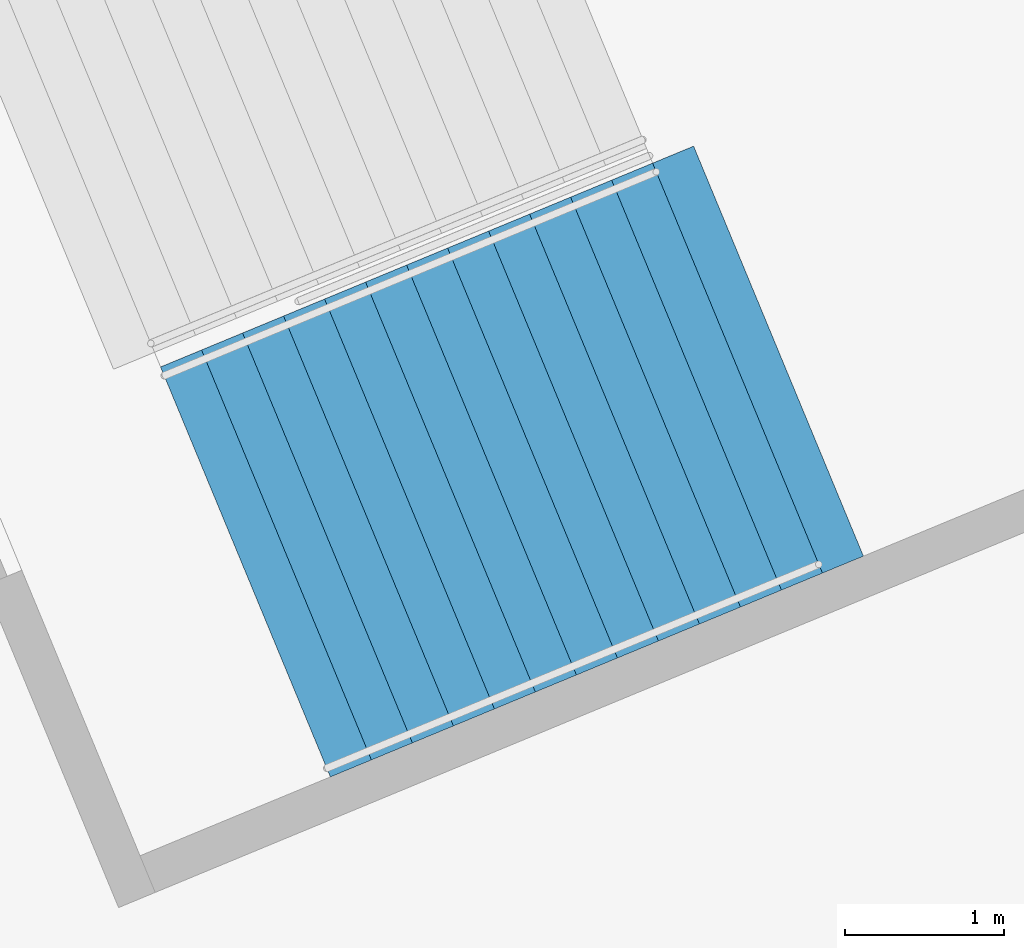
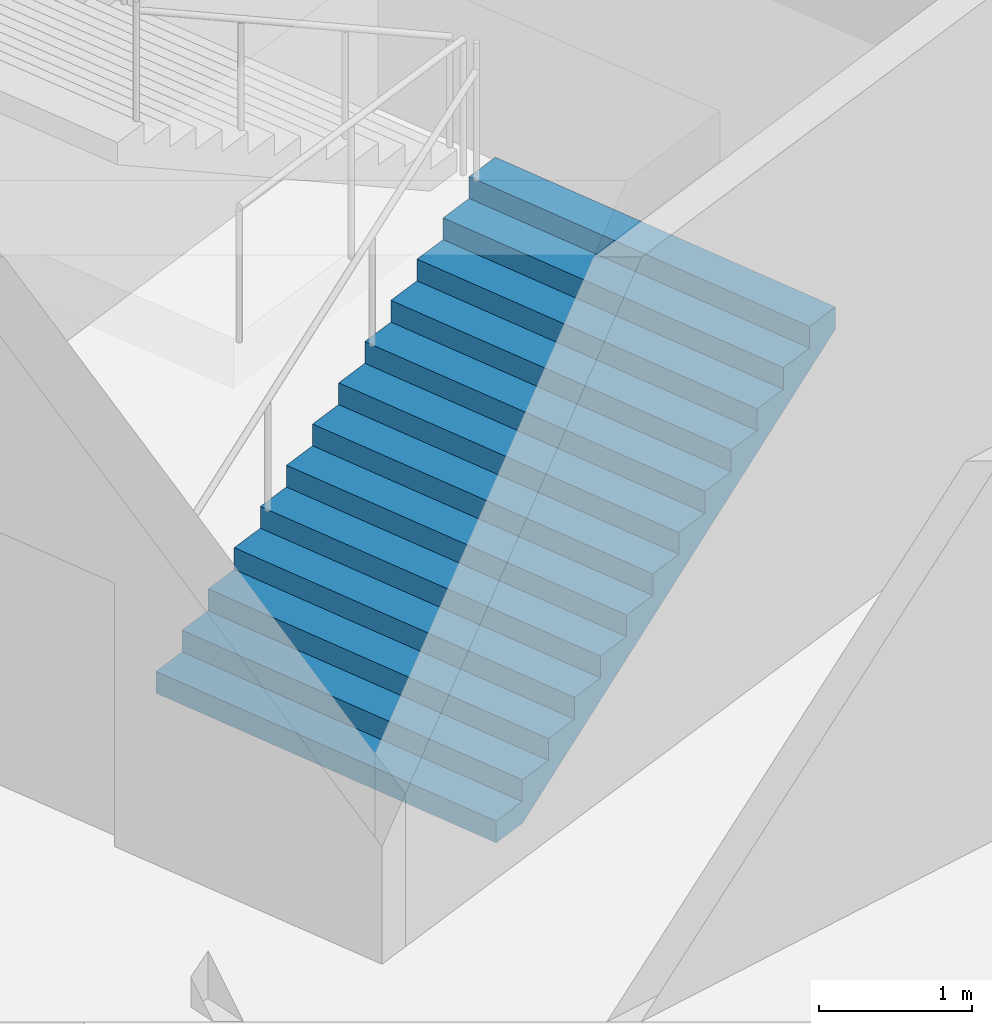
# One storey, part 149 of 175: 1 stair flight, 1 element without a shape of its own.
"""IFC4 building model written with IfcOpenShell, lengths in metres."""

from ifc_helpers import new_model, si_unit, direction, frame, origin, place, context, subcontext, project, spatial, faceted_brep, material, type_object, element, aggregate, save


model = new_model("IFC4")

# Units and contexts
model_context = context("Model", 3, precision=1e-05, world=origin(), true_north=direction((0.0, 1.0)))
body_context = subcontext(model_context, "Body", "Model", "MODEL_VIEW")
ifc_project = project(units=[si_unit("LENGTHUNIT", "METRE"), si_unit("AREAUNIT", "SQUARE_METRE"), si_unit("VOLUMEUNIT", "CUBIC_METRE"), si_unit("PLANEANGLEUNIT", "RADIAN"), si_unit("MASSUNIT", "GRAM", prefix="KILO")], contexts=[model_context])

# Site, building, storey
site_placement = place(None, origin())
site = spatial("IfcSite", under=ifc_project, at=site_placement, CompositionType="ELEMENT")
building_placement = place(site_placement, origin())
building = spatial("IfcBuilding", under=site, at=building_placement, Name="Ogive Plaza Stadium", CompositionType="ELEMENT")
storey_placement = place(building_placement, origin())
storey = spatial("IfcBuildingStorey", under=building, at=storey_placement, Name="L00", CompositionType="ELEMENT", Elevation=0.0)

# Stair, stair flight
ifc_material_1 = material(Name="Concrete C40/50", Category="concrete")
stair_type = type_object("IfcStairType", Name="Exit stair", PredefinedType="STRAIGHT_RUN_STAIR", material=ifc_material_1)
stair_placement = place(storey_placement, origin())
stair = element("IfcStair", 1, at=stair_placement, inside=storey, type_object=stair_type, Name="Exit stair ST40A L00 to L01", PredefinedType="STRAIGHT_RUN_STAIR")
ifc_material_2 = material(Name="Concrete C40/50", Category="concrete")
stair_flight_type = type_object("IfcStairFlightType", Name="Exit stair flight", PredefinedType="STRAIGHT", material=ifc_material_2)
stair_flight_placement = place(storey_placement, frame((74.819580078125, 64.618408203125, 0.0), z_axis=(0.0, 0.0, 1.0), x_axis=(0.923879532511, 0.382683432365, 0.0)))
stair_flight = element("IfcStairFlight", 2, at=stair_flight_placement, type_object=stair_flight_type, Name="ST40A flight 1", NumberOfRisers=13, NumberOfTreads=12, PredefinedType="STRAIGHT", RiserHeight=0.173076923, TreadLength=0.28, context=body_context, shape_type="Brep", body=[
    faceted_brep([(0.28515625, -1.39990234375, 0.0), (3.639892578125, -1.39990234375, 2.07373046875), (3.639892578125, -1.39990234375, 2.25), (3.360107421875, -1.39990234375, 2.25), (3.360107421875, -1.39990234375, 2.076904296875), (3.080078125, -1.39990234375, 2.076904296875), (3.080078125, -1.39990234375, 1.90380859375), (2.800048828125, -1.39990234375, 1.90380859375), (2.800048828125, -1.39990234375, 1.730712890625), (2.52001953125, -1.39990234375, 1.730712890625), (2.52001953125, -1.39990234375, 1.5576171875), (2.239990234375, -1.39990234375, 1.5576171875), (2.239990234375, -1.39990234375, 1.384521484375), (1.9599609375, -1.39990234375, 1.384521484375), (1.9599609375, -1.39990234375, 1.21142578125), (1.679931640625, -1.39990234375, 1.21142578125), (1.679931640625, -1.39990234375, 1.03857421875), (1.39990234375, -1.39990234375, 1.03857421875), (1.39990234375, -1.39990234375, 0.865478515625), (1.1201171875, -1.39990234375, 0.865478515625), (1.1201171875, -1.39990234375, 0.6923828125), (0.840087890625, -1.39990234375, 0.6923828125), (0.840087890625, -1.39990234375, 0.519287109375), (0.56005859375, -1.39990234375, 0.519287109375), (0.56005859375, -1.39990234375, 0.34619140625), (0.280029296875, -1.39990234375, 0.34619140625), (0.280029296875, -1.39990234375, 0.173095703125), (0.0, -1.39990234375, 0.173095703125), (0.0, -1.39990234375, 0.0), (0.0, 1.39990234375, 0.0), (0.0, 1.39990234375, 0.173095703125), (0.280029296875, 1.39990234375, 0.173095703125), (0.280029296875, 1.39990234375, 0.34619140625), (0.56005859375, 1.39990234375, 0.34619140625), (0.56005859375, 1.39990234375, 0.519287109375), (0.840087890625, 1.39990234375, 0.519287109375), (0.840087890625, 1.39990234375, 0.6923828125), (1.1201171875, 1.39990234375, 0.6923828125), (1.1201171875, 1.39990234375, 0.865478515625), (1.39990234375, 1.39990234375, 0.865478515625), (1.39990234375, 1.39990234375, 1.03857421875), (1.679931640625, 1.39990234375, 1.03857421875), (1.679931640625, 1.39990234375, 1.21142578125), (1.9599609375, 1.39990234375, 1.21142578125), (1.9599609375, 1.39990234375, 1.384521484375), (2.239990234375, 1.39990234375, 1.384521484375), (2.239990234375, 1.39990234375, 1.5576171875), (2.52001953125, 1.39990234375, 1.5576171875), (2.52001953125, 1.39990234375, 1.730712890625), (2.800048828125, 1.39990234375, 1.730712890625), (2.800048828125, 1.39990234375, 1.90380859375), (3.080078125, 1.39990234375, 1.90380859375), (3.080078125, 1.39990234375, 2.076904296875), (3.360107421875, 1.39990234375, 2.076904296875), (3.360107421875, 1.39990234375, 2.25), (3.639892578125, 1.39990234375, 2.25), (3.639892578125, 1.39990234375, 2.07373046875), (0.28515625, 1.39990234375, 0.0), (0.28515625, -1.0888671875, 0.0), (3.639892578125, -1.0888671875, 2.07373046875), (0.28515625, -0.77783203125, 0.0), (3.639892578125, -0.77783203125, 2.07373046875), (0.28515625, -0.466796875, 0.0), (3.639892578125, -0.466796875, 2.07373046875), (0.28515625, -0.155517578125, 0.0), (3.639892578125, -0.155517578125, 2.07373046875), (0.28515625, 0.155517578125, 0.0), (3.639892578125, 0.155517578125, 2.07373046875), (0.28515625, 0.466796875, 0.0), (3.639892578125, 0.466796875, 2.07373046875), (0.28515625, 0.77783203125, 0.0), (3.639892578125, 0.77783203125, 2.07373046875), (0.28515625, 1.0888671875, 0.0), (3.639892578125, 1.0888671875, 2.07373046875), (3.639892578125, -1.0888671875, 2.25), (3.639892578125, -0.77783203125, 2.25), (3.639892578125, -0.466796875, 2.25), (3.639892578125, -0.155517578125, 2.25), (3.639892578125, 0.155517578125, 2.25), (3.639892578125, 0.466796875, 2.25), (3.639892578125, 0.77783203125, 2.25), (3.639892578125, 1.0888671875, 2.25), (3.360107421875, -1.0888671875, 2.25), (3.360107421875, -0.77783203125, 2.25), (3.360107421875, -0.466796875, 2.25), (3.360107421875, -0.155517578125, 2.25), (3.360107421875, 0.155517578125, 2.25), (3.360107421875, 0.466796875, 2.25), (3.360107421875, 0.77783203125, 2.25), (3.360107421875, 1.0888671875, 2.25), (3.360107421875, -1.0888671875, 2.076904296875), (3.360107421875, -0.77783203125, 2.076904296875), (3.360107421875, -0.466796875, 2.076904296875), (3.360107421875, -0.155517578125, 2.076904296875), (3.360107421875, 0.155517578125, 2.076904296875), (3.360107421875, 0.466796875, 2.076904296875), (3.360107421875, 0.77783203125, 2.076904296875), (3.360107421875, 1.0888671875, 2.076904296875), (3.080078125, -1.0888671875, 2.076904296875), (3.080078125, -0.77783203125, 2.076904296875), (3.080078125, -0.466796875, 2.076904296875), (3.080078125, -0.155517578125, 2.076904296875), (3.080078125, 0.155517578125, 2.076904296875), (3.080078125, 0.466796875, 2.076904296875), (3.080078125, 0.77783203125, 2.076904296875), (3.080078125, 1.0888671875, 2.076904296875), (3.080078125, -1.0888671875, 1.90380859375), (3.080078125, -0.77783203125, 1.90380859375), (3.080078125, -0.466796875, 1.90380859375), (3.080078125, -0.155517578125, 1.90380859375), (3.080078125, 0.155517578125, 1.90380859375), (3.080078125, 0.466796875, 1.90380859375), (3.080078125, 0.77783203125, 1.90380859375), (3.080078125, 1.0888671875, 1.90380859375), (2.800048828125, -1.0888671875, 1.90380859375), (2.800048828125, -0.77783203125, 1.90380859375), (2.800048828125, -0.466796875, 1.90380859375), (2.800048828125, -0.155517578125, 1.90380859375), (2.800048828125, 0.155517578125, 1.90380859375), (2.800048828125, 0.466796875, 1.90380859375), (2.800048828125, 0.77783203125, 1.90380859375), (2.800048828125, 1.0888671875, 1.90380859375), (2.800048828125, -1.0888671875, 1.730712890625), (2.800048828125, -0.77783203125, 1.730712890625), (2.800048828125, -0.466796875, 1.730712890625), (2.800048828125, -0.155517578125, 1.730712890625), (2.800048828125, 0.155517578125, 1.730712890625), (2.800048828125, 0.466796875, 1.730712890625), (2.800048828125, 0.77783203125, 1.730712890625), (2.800048828125, 1.0888671875, 1.730712890625), (2.52001953125, -1.0888671875, 1.730712890625), (2.52001953125, -0.77783203125, 1.730712890625), (2.52001953125, -0.466796875, 1.730712890625), (2.52001953125, -0.155517578125, 1.730712890625), (2.52001953125, 0.155517578125, 1.730712890625), (2.52001953125, 0.466796875, 1.730712890625), (2.52001953125, 0.77783203125, 1.730712890625), (2.52001953125, 1.0888671875, 1.730712890625), (2.52001953125, -1.0888671875, 1.5576171875), (2.52001953125, -0.77783203125, 1.5576171875), (2.52001953125, -0.466796875, 1.5576171875), (2.52001953125, -0.155517578125, 1.5576171875), (2.52001953125, 0.155517578125, 1.5576171875), (2.52001953125, 0.466796875, 1.5576171875), (2.52001953125, 0.77783203125, 1.5576171875), (2.52001953125, 1.0888671875, 1.5576171875), (2.239990234375, -1.0888671875, 1.5576171875), (2.239990234375, -0.77783203125, 1.5576171875), (2.239990234375, -0.466796875, 1.5576171875), (2.239990234375, -0.155517578125, 1.5576171875), (2.239990234375, 0.155517578125, 1.5576171875), (2.239990234375, 0.466796875, 1.5576171875), (2.239990234375, 0.77783203125, 1.5576171875), (2.239990234375, 1.0888671875, 1.5576171875), (2.239990234375, -1.0888671875, 1.384521484375), (2.239990234375, -0.77783203125, 1.384521484375), (2.239990234375, -0.466796875, 1.384521484375), (2.239990234375, -0.155517578125, 1.384521484375), (2.239990234375, 0.155517578125, 1.384521484375), (2.239990234375, 0.466796875, 1.384521484375), (2.239990234375, 0.77783203125, 1.384521484375), (2.239990234375, 1.0888671875, 1.384521484375), (1.9599609375, -1.0888671875, 1.384521484375), (1.9599609375, -0.77783203125, 1.384521484375), (1.9599609375, -0.466796875, 1.384521484375), (1.9599609375, -0.155517578125, 1.384521484375), (1.9599609375, 0.155517578125, 1.384521484375), (1.9599609375, 0.466796875, 1.384521484375), (1.9599609375, 0.77783203125, 1.384521484375), (1.9599609375, 1.0888671875, 1.384521484375), (1.9599609375, -1.0888671875, 1.21142578125), (1.9599609375, -0.77783203125, 1.21142578125), (1.9599609375, -0.466796875, 1.21142578125), (1.9599609375, -0.155517578125, 1.21142578125), (1.9599609375, 0.155517578125, 1.21142578125), (1.9599609375, 0.466796875, 1.21142578125), (1.9599609375, 0.77783203125, 1.21142578125), (1.9599609375, 1.0888671875, 1.21142578125), (1.679931640625, -1.0888671875, 1.21142578125), (1.679931640625, -0.77783203125, 1.21142578125), (1.679931640625, -0.466796875, 1.21142578125), (1.679931640625, -0.155517578125, 1.21142578125), (1.679931640625, 0.155517578125, 1.21142578125), (1.679931640625, 0.466796875, 1.21142578125), (1.679931640625, 0.77783203125, 1.21142578125), (1.679931640625, 1.0888671875, 1.21142578125), (1.679931640625, -1.0888671875, 1.03857421875), (1.679931640625, -0.77783203125, 1.03857421875), (1.679931640625, -0.466796875, 1.03857421875), (1.679931640625, -0.155517578125, 1.03857421875), (1.679931640625, 0.155517578125, 1.03857421875), (1.679931640625, 0.466796875, 1.03857421875), (1.679931640625, 0.77783203125, 1.03857421875), (1.679931640625, 1.0888671875, 1.03857421875), (1.39990234375, -1.0888671875, 1.03857421875), (1.39990234375, -0.77783203125, 1.03857421875), (1.39990234375, -0.466796875, 1.03857421875), (1.39990234375, -0.155517578125, 1.03857421875), (1.39990234375, 0.155517578125, 1.03857421875), (1.39990234375, 0.466796875, 1.03857421875), (1.39990234375, 0.77783203125, 1.03857421875), (1.39990234375, 1.0888671875, 1.03857421875), (1.39990234375, -1.0888671875, 0.865478515625), (1.39990234375, -0.77783203125, 0.865478515625), (1.39990234375, -0.466796875, 0.865478515625), (1.39990234375, -0.155517578125, 0.865478515625), (1.39990234375, 0.155517578125, 0.865478515625), (1.39990234375, 0.466796875, 0.865478515625), (1.39990234375, 0.77783203125, 0.865478515625), (1.39990234375, 1.0888671875, 0.865478515625), (1.1201171875, -1.0888671875, 0.865478515625), (1.1201171875, -0.77783203125, 0.865478515625), (1.1201171875, -0.466796875, 0.865478515625), (1.1201171875, -0.155517578125, 0.865478515625), (1.1201171875, 0.155517578125, 0.865478515625), (1.1201171875, 0.466796875, 0.865478515625), (1.1201171875, 0.77783203125, 0.865478515625), (1.1201171875, 1.0888671875, 0.865478515625), (1.1201171875, -1.0888671875, 0.6923828125), (1.1201171875, -0.77783203125, 0.6923828125), (1.1201171875, -0.466796875, 0.6923828125), (1.1201171875, -0.155517578125, 0.6923828125), (1.1201171875, 0.155517578125, 0.6923828125), (1.1201171875, 0.466796875, 0.6923828125), (1.1201171875, 0.77783203125, 0.6923828125), (1.1201171875, 1.0888671875, 0.6923828125), (0.840087890625, -1.0888671875, 0.6923828125), (0.840087890625, -0.77783203125, 0.6923828125), (0.840087890625, -0.466796875, 0.6923828125), (0.840087890625, -0.155517578125, 0.6923828125), (0.840087890625, 0.155517578125, 0.6923828125), (0.840087890625, 0.466796875, 0.6923828125), (0.840087890625, 0.77783203125, 0.6923828125), (0.840087890625, 1.0888671875, 0.6923828125), (0.840087890625, -1.0888671875, 0.519287109375), (0.840087890625, -0.77783203125, 0.519287109375), (0.840087890625, -0.466796875, 0.519287109375), (0.840087890625, -0.155517578125, 0.519287109375), (0.840087890625, 0.155517578125, 0.519287109375), (0.840087890625, 0.466796875, 0.519287109375), (0.840087890625, 0.77783203125, 0.519287109375), (0.840087890625, 1.0888671875, 0.519287109375), (0.56005859375, -1.0888671875, 0.519287109375), (0.56005859375, -0.77783203125, 0.519287109375), (0.56005859375, -0.466796875, 0.519287109375), (0.56005859375, -0.155517578125, 0.519287109375), (0.56005859375, 0.155517578125, 0.519287109375), (0.56005859375, 0.466796875, 0.519287109375), (0.56005859375, 0.77783203125, 0.519287109375), (0.56005859375, 1.0888671875, 0.519287109375), (0.56005859375, -1.0888671875, 0.34619140625), (0.56005859375, -0.77783203125, 0.34619140625), (0.56005859375, -0.466796875, 0.34619140625), (0.56005859375, -0.155517578125, 0.34619140625), (0.56005859375, 0.155517578125, 0.34619140625), (0.56005859375, 0.466796875, 0.34619140625), (0.56005859375, 0.77783203125, 0.34619140625), (0.56005859375, 1.0888671875, 0.34619140625), (0.280029296875, -1.0888671875, 0.34619140625), (0.280029296875, -0.77783203125, 0.34619140625), (0.280029296875, -0.466796875, 0.34619140625), (0.280029296875, -0.155517578125, 0.34619140625), (0.280029296875, 0.155517578125, 0.34619140625), (0.280029296875, 0.466796875, 0.34619140625), (0.280029296875, 0.77783203125, 0.34619140625), (0.280029296875, 1.0888671875, 0.34619140625), (0.280029296875, -1.0888671875, 0.173095703125), (0.280029296875, -0.77783203125, 0.173095703125), (0.280029296875, -0.466796875, 0.173095703125), (0.280029296875, -0.155517578125, 0.173095703125), (0.280029296875, 0.155517578125, 0.173095703125), (0.280029296875, 0.466796875, 0.173095703125), (0.280029296875, 0.77783203125, 0.173095703125), (0.280029296875, 1.0888671875, 0.173095703125), (0.0, -1.0888671875, 0.173095703125), (0.0, -0.77783203125, 0.173095703125), (0.0, -0.466796875, 0.173095703125), (0.0, -0.155517578125, 0.173095703125), (0.0, 0.155517578125, 0.173095703125), (0.0, 0.466796875, 0.173095703125), (0.0, 0.77783203125, 0.173095703125), (0.0, 1.0888671875, 0.173095703125), (0.0, -1.0888671875, 0.0), (0.0, -0.77783203125, 0.0), (0.0, -0.466796875, 0.0), (0.0, -0.155517578125, 0.0), (0.0, 0.155517578125, 0.0), (0.0, 0.466796875, 0.0), (0.0, 0.77783203125, 0.0), (0.0, 1.0888671875, 0.0)], [[[0, 1, 2, 3, 4, 5, 6, 7, 8, 9, 10, 11, 12, 13, 14, 15, 16, 17, 18, 19, 20, 21, 22, 23, 24, 25, 26, 27, 28]], [[29, 30, 31, 32, 33, 34, 35, 36, 37, 38, 39, 40, 41, 42, 43, 44, 45, 46, 47, 48, 49, 50, 51, 52, 53, 54, 55, 56, 57]], [[0, 58, 59, 1]], [[58, 60, 61, 59]], [[60, 62, 63, 61]], [[62, 64, 65, 63]], [[64, 66, 67, 65]], [[66, 68, 69, 67]], [[68, 70, 71, 69]], [[70, 72, 73, 71]], [[72, 57, 56, 73]], [[1, 59, 74, 2]], [[59, 61, 75, 74]], [[61, 63, 76, 75]], [[63, 65, 77, 76]], [[65, 67, 78, 77]], [[67, 69, 79, 78]], [[69, 71, 80, 79]], [[71, 73, 81, 80]], [[73, 56, 55, 81]], [[2, 74, 82, 3]], [[74, 75, 83, 82]], [[75, 76, 84, 83]], [[76, 77, 85, 84]], [[77, 78, 86, 85]], [[78, 79, 87, 86]], [[79, 80, 88, 87]], [[80, 81, 89, 88]], [[81, 55, 54, 89]], [[3, 82, 90, 4]], [[82, 83, 91, 90]], [[83, 84, 92, 91]], [[84, 85, 93, 92]], [[85, 86, 94, 93]], [[86, 87, 95, 94]], [[87, 88, 96, 95]], [[88, 89, 97, 96]], [[89, 54, 53, 97]], [[4, 90, 98, 5]], [[90, 91, 99, 98]], [[91, 92, 100, 99]], [[92, 93, 101, 100]], [[93, 94, 102, 101]], [[94, 95, 103, 102]], [[95, 96, 104, 103]], [[96, 97, 105, 104]], [[97, 53, 52, 105]], [[5, 98, 106, 6]], [[98, 99, 107, 106]], [[99, 100, 108, 107]], [[100, 101, 109, 108]], [[101, 102, 110, 109]], [[102, 103, 111, 110]], [[103, 104, 112, 111]], [[104, 105, 113, 112]], [[105, 52, 51, 113]], [[6, 106, 114, 7]], [[106, 107, 115, 114]], [[107, 108, 116, 115]], [[108, 109, 117, 116]], [[109, 110, 118, 117]], [[110, 111, 119, 118]], [[111, 112, 120, 119]], [[112, 113, 121, 120]], [[113, 51, 50, 121]], [[7, 114, 122, 8]], [[114, 115, 123, 122]], [[115, 116, 124, 123]], [[116, 117, 125, 124]], [[117, 118, 126, 125]], [[118, 119, 127, 126]], [[119, 120, 128, 127]], [[120, 121, 129, 128]], [[121, 50, 49, 129]], [[8, 122, 130, 9]], [[122, 123, 131, 130]], [[123, 124, 132, 131]], [[124, 125, 133, 132]], [[125, 126, 134, 133]], [[126, 127, 135, 134]], [[127, 128, 136, 135]], [[128, 129, 137, 136]], [[129, 49, 48, 137]], [[9, 130, 138, 10]], [[130, 131, 139, 138]], [[131, 132, 140, 139]], [[132, 133, 141, 140]], [[133, 134, 142, 141]], [[134, 135, 143, 142]], [[135, 136, 144, 143]], [[136, 137, 145, 144]], [[137, 48, 47, 145]], [[10, 138, 146, 11]], [[138, 139, 147, 146]], [[139, 140, 148, 147]], [[140, 141, 149, 148]], [[141, 142, 150, 149]], [[142, 143, 151, 150]], [[143, 144, 152, 151]], [[144, 145, 153, 152]], [[145, 47, 46, 153]], [[11, 146, 154, 12]], [[146, 147, 155, 154]], [[147, 148, 156, 155]], [[148, 149, 157, 156]], [[149, 150, 158, 157]], [[150, 151, 159, 158]], [[151, 152, 160, 159]], [[152, 153, 161, 160]], [[153, 46, 45, 161]], [[12, 154, 162, 13]], [[154, 155, 163, 162]], [[155, 156, 164, 163]], [[156, 157, 165, 164]], [[157, 158, 166, 165]], [[158, 159, 167, 166]], [[159, 160, 168, 167]], [[160, 161, 169, 168]], [[161, 45, 44, 169]], [[13, 162, 170, 14]], [[162, 163, 171, 170]], [[163, 164, 172, 171]], [[164, 165, 173, 172]], [[165, 166, 174, 173]], [[166, 167, 175, 174]], [[167, 168, 176, 175]], [[168, 169, 177, 176]], [[169, 44, 43, 177]], [[14, 170, 178, 15]], [[170, 171, 179, 178]], [[171, 172, 180, 179]], [[172, 173, 181, 180]], [[173, 174, 182, 181]], [[174, 175, 183, 182]], [[175, 176, 184, 183]], [[176, 177, 185, 184]], [[177, 43, 42, 185]], [[15, 178, 186, 16]], [[178, 179, 187, 186]], [[179, 180, 188, 187]], [[180, 181, 189, 188]], [[181, 182, 190, 189]], [[182, 183, 191, 190]], [[183, 184, 192, 191]], [[184, 185, 193, 192]], [[185, 42, 41, 193]], [[16, 186, 194, 17]], [[186, 187, 195, 194]], [[187, 188, 196, 195]], [[188, 189, 197, 196]], [[189, 190, 198, 197]], [[190, 191, 199, 198]], [[191, 192, 200, 199]], [[192, 193, 201, 200]], [[193, 41, 40, 201]], [[17, 194, 202, 18]], [[194, 195, 203, 202]], [[195, 196, 204, 203]], [[196, 197, 205, 204]], [[197, 198, 206, 205]], [[198, 199, 207, 206]], [[199, 200, 208, 207]], [[200, 201, 209, 208]], [[201, 40, 39, 209]], [[18, 202, 210, 19]], [[202, 203, 211, 210]], [[203, 204, 212, 211]], [[204, 205, 213, 212]], [[205, 206, 214, 213]], [[206, 207, 215, 214]], [[207, 208, 216, 215]], [[208, 209, 217, 216]], [[209, 39, 38, 217]], [[19, 210, 218, 20]], [[210, 211, 219, 218]], [[211, 212, 220, 219]], [[212, 213, 221, 220]], [[213, 214, 222, 221]], [[214, 215, 223, 222]], [[215, 216, 224, 223]], [[216, 217, 225, 224]], [[217, 38, 37, 225]], [[20, 218, 226, 21]], [[218, 219, 227, 226]], [[219, 220, 228, 227]], [[220, 221, 229, 228]], [[221, 222, 230, 229]], [[222, 223, 231, 230]], [[223, 224, 232, 231]], [[224, 225, 233, 232]], [[225, 37, 36, 233]], [[21, 226, 234, 22]], [[226, 227, 235, 234]], [[227, 228, 236, 235]], [[228, 229, 237, 236]], [[229, 230, 238, 237]], [[230, 231, 239, 238]], [[231, 232, 240, 239]], [[232, 233, 241, 240]], [[233, 36, 35, 241]], [[22, 234, 242, 23]], [[234, 235, 243, 242]], [[235, 236, 244, 243]], [[236, 237, 245, 244]], [[237, 238, 246, 245]], [[238, 239, 247, 246]], [[239, 240, 248, 247]], [[240, 241, 249, 248]], [[241, 35, 34, 249]], [[23, 242, 250, 24]], [[242, 243, 251, 250]], [[243, 244, 252, 251]], [[244, 245, 253, 252]], [[245, 246, 254, 253]], [[246, 247, 255, 254]], [[247, 248, 256, 255]], [[248, 249, 257, 256]], [[249, 34, 33, 257]], [[24, 250, 258, 25]], [[250, 251, 259, 258]], [[251, 252, 260, 259]], [[252, 253, 261, 260]], [[253, 254, 262, 261]], [[254, 255, 263, 262]], [[255, 256, 264, 263]], [[256, 257, 265, 264]], [[257, 33, 32, 265]], [[25, 258, 266, 26]], [[258, 259, 267, 266]], [[259, 260, 268, 267]], [[260, 261, 269, 268]], [[261, 262, 270, 269]], [[262, 263, 271, 270]], [[263, 264, 272, 271]], [[264, 265, 273, 272]], [[265, 32, 31, 273]], [[26, 266, 274, 27]], [[266, 267, 275, 274]], [[267, 268, 276, 275]], [[268, 269, 277, 276]], [[269, 270, 278, 277]], [[270, 271, 279, 278]], [[271, 272, 280, 279]], [[272, 273, 281, 280]], [[273, 31, 30, 281]], [[27, 274, 282, 28]], [[274, 275, 283, 282]], [[275, 276, 284, 283]], [[276, 277, 285, 284]], [[277, 278, 286, 285]], [[278, 279, 287, 286]], [[279, 280, 288, 287]], [[280, 281, 289, 288]], [[281, 30, 29, 289]], [[28, 282, 58, 0]], [[282, 283, 60, 58]], [[283, 284, 62, 60]], [[284, 285, 64, 62]], [[285, 286, 66, 64]], [[286, 287, 68, 66]], [[287, 288, 70, 68]], [[288, 289, 72, 70]], [[289, 29, 57, 72]]]),
])
aggregate(stair, [stair_flight])

save(model, "model.ifc")
